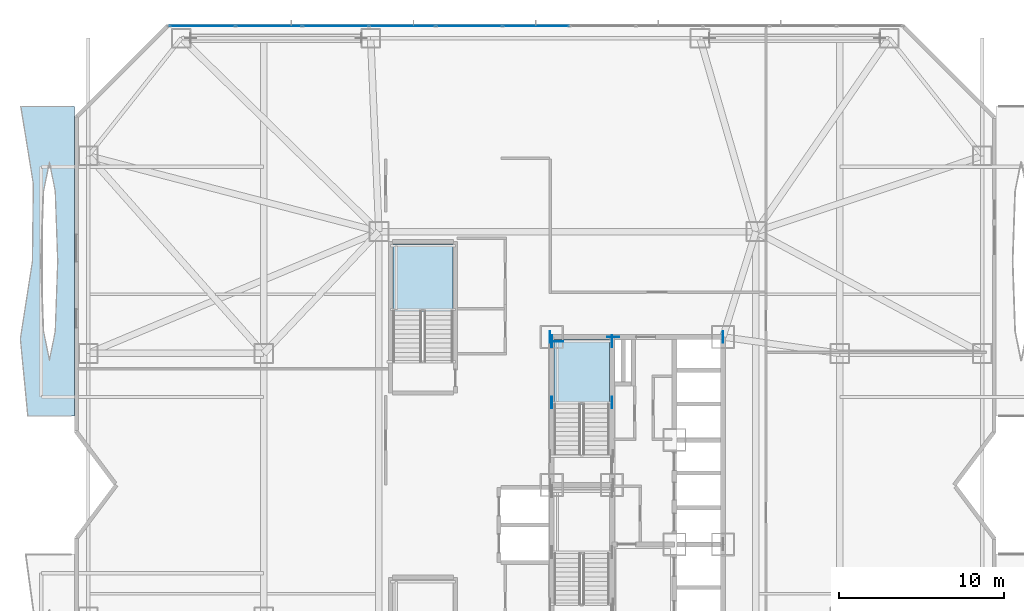
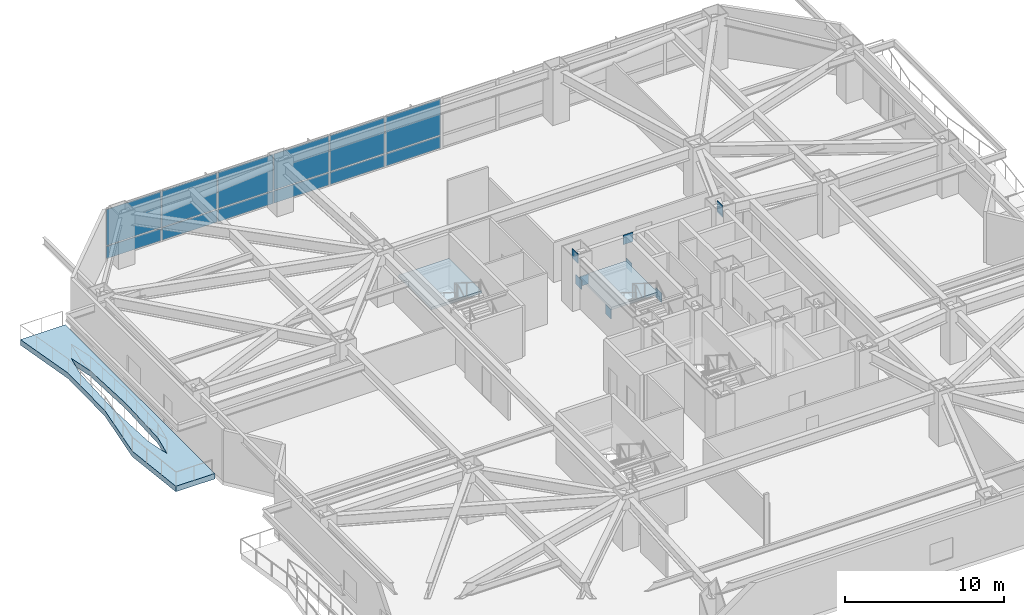
# One storey, part 12 of 24: 21 plates, 3 slabs, 3 elements without a shape of their own.
"""IFC4 building model written with IfcOpenShell, lengths in metres."""

from ifc_helpers import new_model, si_unit, direction, frame, origin, origin_2d, place, context, subcontext, project, spatial, polyline, rectangle, outline, extrude, material, layer, layer_set, type_object, element, aggregate, save


model = new_model("IFC4")

# Units and contexts
model_context = context("Model", 3, precision=1e-05, world=origin(), true_north=direction((0.0, 1.0)))
body_context = subcontext(model_context, "Body", "Model", "MODEL_VIEW")
ifc_project = project(units=[si_unit("LENGTHUNIT", "METRE"), si_unit("AREAUNIT", "SQUARE_METRE"), si_unit("VOLUMEUNIT", "CUBIC_METRE"), si_unit("PLANEANGLEUNIT", "RADIAN"), si_unit("MASSUNIT", "GRAM", prefix="KILO")], contexts=[model_context])

# Site, building, storey
site_placement = place(None, origin())
site = spatial("IfcSite", under=ifc_project, at=site_placement, CompositionType="ELEMENT")
building_placement = place(site_placement, origin())
building = spatial("IfcBuilding", under=site, at=building_placement, Name="Khamvora Tower", CompositionType="ELEMENT")
storey_placement = place(building_placement, frame((0.0, 0.0, 20.39990234375)))
storey = spatial("IfcBuildingStorey", under=building, at=storey_placement, Name="L04", CompositionType="ELEMENT", Elevation=20.39990234375)

# Curtain wall, plates
ifc_material_1 = material(Name="Anodised Aluminium 6063-T6", Category="aluminium")
curtain_wall_type = type_object("IfcCurtainWallType", Name="CW-SYS-01", PredefinedType="NOTDEFINED", material=ifc_material_1)
curtain_wall_placement = place(storey_placement, origin())
curtain_wall = element("IfcCurtainWall", 1, at=curtain_wall_placement, inside=storey, type_object=curtain_wall_type, Name="L04 stick curtain wall 07.1", PredefinedType="NOTDEFINED")
ifc_material_2 = material(Name="Low-E Laminated Double Glazing", Category="glass")
ifc_layer_1 = layer(ifc_material_2, 0.035888671875)
ifc_layer_set_1 = layer_set([ifc_layer_1], Name="Low-E Laminated Double Glazing")
plate_type_1 = type_object("IfcPlateType", Name="CW-SYS-01-PNL", PredefinedType="CURTAIN_PANEL", material=ifc_layer_set_1)
plate_1_placement = place(storey_placement, frame((7.774169921875, 55.8798828125, 0.0751953125), z_axis=(0.0, 0.0, 1.0), x_axis=(1.0, 0.0, 0.0)))
plate_1 = element("IfcPlate", 2, at=plate_1_placement, type_object=plate_type_1, Name="CW-01 panel 1.1", PredefinedType="CURTAIN_PANEL", context=body_context, shape_type="SweptSolid", body=[
    extrude(rectangle(XDim=3.944091796875, YDim=0.035888671875, at=origin_2d()), origin(), (0.0, 0.0, 1.0), 0.9375),
])
plate_2_placement = place(storey_placement, frame((7.774169921875, 55.8798828125, 1.08740234375), z_axis=(0.0, 0.0, 1.0), x_axis=(1.0, 0.0, 0.0)))
plate_2 = element("IfcPlate", 3, at=plate_2_placement, type_object=plate_type_1, Name="CW-01 panel 1.2", PredefinedType="CURTAIN_PANEL", context=body_context, shape_type="SweptSolid", body=[
    extrude(rectangle(XDim=3.944091796875, YDim=0.035888671875, at=origin_2d()), origin(), (0.0, 0.0, 1.0), 2.757568359375),
])
plate_3_placement = place(storey_placement, frame((11.81201171875, 55.8798828125, 0.0751953125), z_axis=(0.0, 0.0, 1.0), x_axis=(1.0, 0.0, 0.0)))
plate_3 = element("IfcPlate", 4, at=plate_3_placement, type_object=plate_type_1, Name="CW-01 panel 2.1", PredefinedType="CURTAIN_PANEL", context=body_context, shape_type="SweptSolid", body=[
    extrude(rectangle(XDim=3.981689453125, YDim=0.035888671875, at=origin_2d()), origin(), (0.0, 0.0, 1.0), 0.9375),
])
plate_4_placement = place(storey_placement, frame((11.81201171875, 55.8798828125, 1.08740234375), z_axis=(0.0, 0.0, 1.0), x_axis=(1.0, 0.0, 0.0)))
plate_4 = element("IfcPlate", 5, at=plate_4_placement, type_object=plate_type_1, Name="CW-01 panel 2.2", PredefinedType="CURTAIN_PANEL", context=body_context, shape_type="SweptSolid", body=[
    extrude(rectangle(XDim=3.981689453125, YDim=0.035888671875, at=origin_2d()), origin(), (0.0, 0.0, 1.0), 2.757568359375),
])
plate_5_placement = place(storey_placement, frame((15.86865234375, 55.8798828125, 0.0751953125), z_axis=(0.0, 0.0, 1.0), x_axis=(1.0, 0.0, 0.0)))
plate_5 = element("IfcPlate", 6, at=plate_5_placement, type_object=plate_type_1, Name="CW-01 panel 3.1", PredefinedType="CURTAIN_PANEL", context=body_context, shape_type="SweptSolid", body=[
    extrude(rectangle(XDim=3.981689453125, YDim=0.035888671875, at=origin_2d()), origin(), (0.0, 0.0, 1.0), 0.9375),
])
plate_6_placement = place(storey_placement, frame((15.86865234375, 55.8798828125, 1.08740234375), z_axis=(0.0, 0.0, 1.0), x_axis=(1.0, 0.0, 0.0)))
plate_6 = element("IfcPlate", 7, at=plate_6_placement, type_object=plate_type_1, Name="CW-01 panel 3.2", PredefinedType="CURTAIN_PANEL", context=body_context, shape_type="SweptSolid", body=[
    extrude(rectangle(XDim=3.981689453125, YDim=0.035888671875, at=origin_2d()), origin(), (0.0, 0.0, 1.0), 2.757568359375),
])
plate_7_placement = place(storey_placement, frame((19.92529296875, 55.8798828125, 0.0751953125), z_axis=(0.0, 0.0, 1.0), x_axis=(1.0, 0.0, 0.0)))
plate_7 = element("IfcPlate", 8, at=plate_7_placement, type_object=plate_type_1, Name="CW-01 panel 4.1", PredefinedType="CURTAIN_PANEL", context=body_context, shape_type="SweptSolid", body=[
    extrude(rectangle(XDim=3.981689453125, YDim=0.035888671875, at=origin_2d()), origin(), (0.0, 0.0, 1.0), 0.9375),
])
plate_8_placement = place(storey_placement, frame((19.92529296875, 55.8798828125, 1.08740234375), z_axis=(0.0, 0.0, 1.0), x_axis=(1.0, 0.0, 0.0)))
plate_8 = element("IfcPlate", 9, at=plate_8_placement, type_object=plate_type_1, Name="CW-01 panel 4.2", PredefinedType="CURTAIN_PANEL", context=body_context, shape_type="SweptSolid", body=[
    extrude(rectangle(XDim=3.981689453125, YDim=0.035888671875, at=origin_2d()), origin(), (0.0, 0.0, 1.0), 2.757568359375),
])
plate_9_placement = place(storey_placement, frame((23.98193359375, 55.8798828125, 0.0751953125), z_axis=(0.0, 0.0, 1.0), x_axis=(1.0, 0.0, 0.0)))
plate_9 = element("IfcPlate", 10, at=plate_9_placement, type_object=plate_type_1, Name="CW-01 panel 5.1", PredefinedType="CURTAIN_PANEL", context=body_context, shape_type="SweptSolid", body=[
    extrude(rectangle(XDim=3.981689453125, YDim=0.035888671875, at=origin_2d()), origin(), (0.0, 0.0, 1.0), 0.9375),
])
plate_10_placement = place(storey_placement, frame((23.98193359375, 55.8798828125, 1.08740234375), z_axis=(0.0, 0.0, 1.0), x_axis=(1.0, 0.0, 0.0)))
plate_10 = element("IfcPlate", 11, at=plate_10_placement, type_object=plate_type_1, Name="CW-01 panel 5.2", PredefinedType="CURTAIN_PANEL", context=body_context, shape_type="SweptSolid", body=[
    extrude(rectangle(XDim=3.981689453125, YDim=0.035888671875, at=origin_2d()), origin(), (0.0, 0.0, 1.0), 2.757568359375),
])
plate_11_placement = place(storey_placement, frame((28.03857421875, 55.8798828125, 0.0751953125), z_axis=(0.0, 0.0, 1.0), x_axis=(1.0, 0.0, 0.0)))
plate_11 = element("IfcPlate", 12, at=plate_11_placement, type_object=plate_type_1, Name="CW-01 panel 6.1", PredefinedType="CURTAIN_PANEL", context=body_context, shape_type="SweptSolid", body=[
    extrude(rectangle(XDim=3.981689453125, YDim=0.035888671875, at=origin_2d()), origin(), (0.0, 0.0, 1.0), 0.9375),
])
plate_12_placement = place(storey_placement, frame((28.03857421875, 55.8798828125, 1.08740234375), z_axis=(0.0, 0.0, 1.0), x_axis=(1.0, 0.0, 0.0)))
plate_12 = element("IfcPlate", 13, at=plate_12_placement, type_object=plate_type_1, Name="CW-01 panel 6.2", PredefinedType="CURTAIN_PANEL", context=body_context, shape_type="SweptSolid", body=[
    extrude(rectangle(XDim=3.981689453125, YDim=0.035888671875, at=origin_2d()), origin(), (0.0, 0.0, 1.0), 2.757568359375),
])
aggregate(curtain_wall, [plate_1, plate_2, plate_3, plate_4, plate_5, plate_6, plate_7, plate_8, plate_9, plate_10, plate_11, plate_12])

# Plates
ifc_material_3 = material(Name="Steel S460", Category="steel")
ifc_layer_2 = layer(ifc_material_3, 0.034912109375)
ifc_layer_set_2 = layer_set([ifc_layer_2], Name="Steel S460")
plate_type_2 = type_object("IfcPlateType", Name="PL-EMB-35", PredefinedType="SHEET", material=ifc_layer_set_2)
for number, where, z_axis, x_axis, name in (
    (14, (29.0, 33.014892578125, 1.4091796875), (0.0, 0.0, 1.0), (1.0, 0.0, 0.0), "L04 core shear wall cast-in embed plate 0155"),
    (15, (32.64990234375, 33.014892578125, 1.4091796875), (0.0, 0.0, 1.0), (1.0, 0.0, 0.0), "L04 core shear wall cast-in embed plate 0156"),
    (16, (29.0, 36.72998046875, 1.4091796875), (0.0, 0.0, 1.0), (1.0, 0.0, 0.0), "L04 core shear wall cast-in embed plate 0157"),
    (17, (32.64990234375, 36.72998046875, 1.4091796875), (0.0, 0.0, 1.0), (1.0, 0.0, 0.0), "L04 core shear wall cast-in embed plate 0158"),
):
    element("IfcPlate", number, at=place(storey_placement, frame(where, z_axis=z_axis, x_axis=x_axis)), inside=storey, type_object=plate_type_2, Name=name, PredefinedType="SHEET", context=body_context, shape_type="SweptSolid", body=[
        extrude(rectangle(XDim=0.034912109375, YDim=0.719970703125, at=origin_2d()), origin(), (0.0, 0.0, 1.0), 0.719970703125),
    ])
plate_13_placement = place(storey_placement, frame((29.35009765625, 36.72998046875, 1.4091796875), z_axis=(0.0, 0.0, 1.0), x_axis=(1.0, 0.0, 0.0)))
element("IfcPlate", 18, at=plate_13_placement, inside=storey, type_object=plate_type_2, Name="L04 core shear wall cast-in embed plate 0159", PredefinedType="SHEET", context=body_context, shape_type="SweptSolid", body=[
    extrude(rectangle(XDim=0.719970703125, YDim=0.034912109375, at=origin_2d()), origin(), (0.0, 0.0, 1.0), 0.719970703125),
])
for number, where, z_axis, x_axis, name in (
    (19, (39.39990234375, 37.0, 3.13330078125), (0.0, 0.0, 1.0), (1.0, 0.0, 0.0), "L04 core shear wall cast-in embed plate 0161"),
    (20, (28.89990234375, 37.0, 3.29296875), (0.0, 0.0, 1.0), (1.0, 0.0, 0.0), "L04 core shear wall cast-in embed plate 0164"),
):
    element("IfcPlate", number, at=place(storey_placement, frame(where, z_axis=z_axis, x_axis=x_axis)), inside=storey, type_object=plate_type_2, Name=name, PredefinedType="SHEET", context=body_context, shape_type="SweptSolid", body=[
        extrude(rectangle(XDim=0.034912109375, YDim=0.719970703125, at=origin_2d()), origin(), (0.0, 0.0, 1.0), 0.719970703125),
    ])
plate_14_placement = place(storey_placement, frame((32.72998046875, 37.0, 3.29296875), z_axis=(0.0, 0.0, 1.0), x_axis=(1.0, 0.0, 0.0)))
element("IfcPlate", 21, at=plate_14_placement, inside=storey, type_object=plate_type_2, Name="L04 core shear wall cast-in embed plate 0167", PredefinedType="SHEET", context=body_context, shape_type="SweptSolid", body=[
    extrude(rectangle(XDim=0.719970703125, YDim=0.034912109375, at=origin_2d()), origin(), (0.0, 0.0, 1.0), 0.719970703125),
])
plate_15_placement = place(storey_placement, frame((39.39990234375, 37.0, 3.29296875), z_axis=(0.0, 0.0, 1.0), x_axis=(1.0, 0.0, 0.0)))
element("IfcPlate", 22, at=plate_15_placement, inside=storey, type_object=plate_type_2, Name="L04 core shear wall cast-in embed plate 0170", PredefinedType="SHEET", context=body_context, shape_type="SweptSolid", body=[
    extrude(rectangle(XDim=0.034912109375, YDim=0.719970703125, at=origin_2d()), origin(), (0.0, 0.0, 1.0), 0.719970703125),
])

# Slab
ifc_material_4 = material(Name="Concrete C40/50", Category="concrete")
ifc_layer_3 = layer(ifc_material_4, 0.419921875)
ifc_layer_set_3 = layer_set([ifc_layer_3], Name="Concrete C40/50")
slab_type_1 = type_object("IfcSlabType", Name="SLB-GRD-420", PredefinedType="FLOOR", material=ifc_layer_set_3)
slab_1_placement = place(storey_placement, frame((0.0, 0.0, -0.419921875)))
element("IfcSlab", 23, at=slab_1_placement, inside=storey, type_object=slab_type_1, Name="L04 external lens gallery slab WL2", PredefinedType="FLOOR", context=body_context, shape_type="SweptSolid", body=[
    extrude(outline(polyline([(0.0, 32.199951171875), (0.0, 51.0), (-3.2529296875, 51.0), (-2.491943359375, 46.300048828125), (-2.5458984375, 41.60009765625), (-3.278076171875, 36.89990234375), (-2.826904296875, 32.199951171875), (0.0, 32.199951171875)]), holes=[polyline([(-1.010986328125, 41.60009765625), (-1.158935546875, 45.85400390625), (-1.514892578125, 47.615966796875), (-1.87109375, 45.85400390625), (-2.01904296875, 41.60009765625), (-1.87109375, 37.345947265625), (-1.514892578125, 35.583984375), (-1.158935546875, 37.345947265625), (-1.010986328125, 41.60009765625)])]), origin(), (0.0, 0.0, 1.0), 0.419921875),
])

# Stair, slab
stair_type_1 = type_object("IfcStairType", Name="STR-ST-02", PredefinedType="HALF_TURN_STAIR", material=ifc_material_4)
stair_1_placement = place(storey_placement, origin())
stair_1 = element("IfcStair", 24, at=stair_1_placement, inside=storey, type_object=stair_type_1, Name="L04 North Tower Exit Stair ST-02", PredefinedType="HALF_TURN_STAIR")
ifc_layer_4 = layer(ifc_material_4, 0.199951171875)
ifc_layer_set_4 = layer_set([ifc_layer_4], Name="Concrete C40/50")
slab_type_2 = type_object("IfcSlabType", Name="SLB-LND-200", PredefinedType="LANDING", material=ifc_layer_set_4)
slab_2_placement = place(storey_placement, frame((0.0, 0.0, 1.900146484375)))
slab_2 = element("IfcSlab", 25, at=slab_2_placement, type_object=slab_type_2, Name="ST-02 landing 1", PredefinedType="LANDING", context=body_context, shape_type="SweptSolid", body=[
    extrude(outline(polyline([(32.5, 32.89501953125), (32.5, 36.85009765625), (29.14990234375, 36.85009765625), (29.14990234375, 32.89501953125), (32.5, 32.89501953125)])), origin(), (0.0, 0.0, 1.0), 0.199951171875),
])
aggregate(stair_1, [slab_2])

stair_type_2 = type_object("IfcStairType", Name="STR-ST-04", PredefinedType="HALF_TURN_STAIR", material=ifc_material_4)
stair_2_placement = place(storey_placement, origin())
stair_2 = element("IfcStair", 26, at=stair_2_placement, inside=storey, type_object=stair_type_2, Name="L04 North School Podium Stair ST-04", PredefinedType="HALF_TURN_STAIR")
slab_3_placement = place(storey_placement, frame((0.0, 0.0, 1.900146484375)))
slab_3 = element("IfcSlab", 27, at=slab_3_placement, type_object=slab_type_2, Name="ST-04 landing 1", PredefinedType="LANDING", context=body_context, shape_type="SweptSolid", body=[
    extrude(outline(polyline([(23.0, 38.544921875), (23.0, 42.64990234375), (19.35009765625, 42.64990234375), (19.35009765625, 38.544921875), (23.0, 38.544921875)])), origin(), (0.0, 0.0, 1.0), 0.199951171875),
])
aggregate(stair_2, [slab_3])

save(model, "model.ifc")
